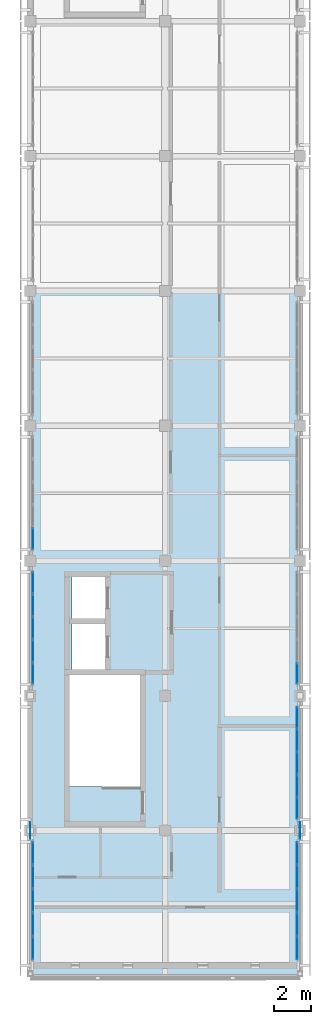
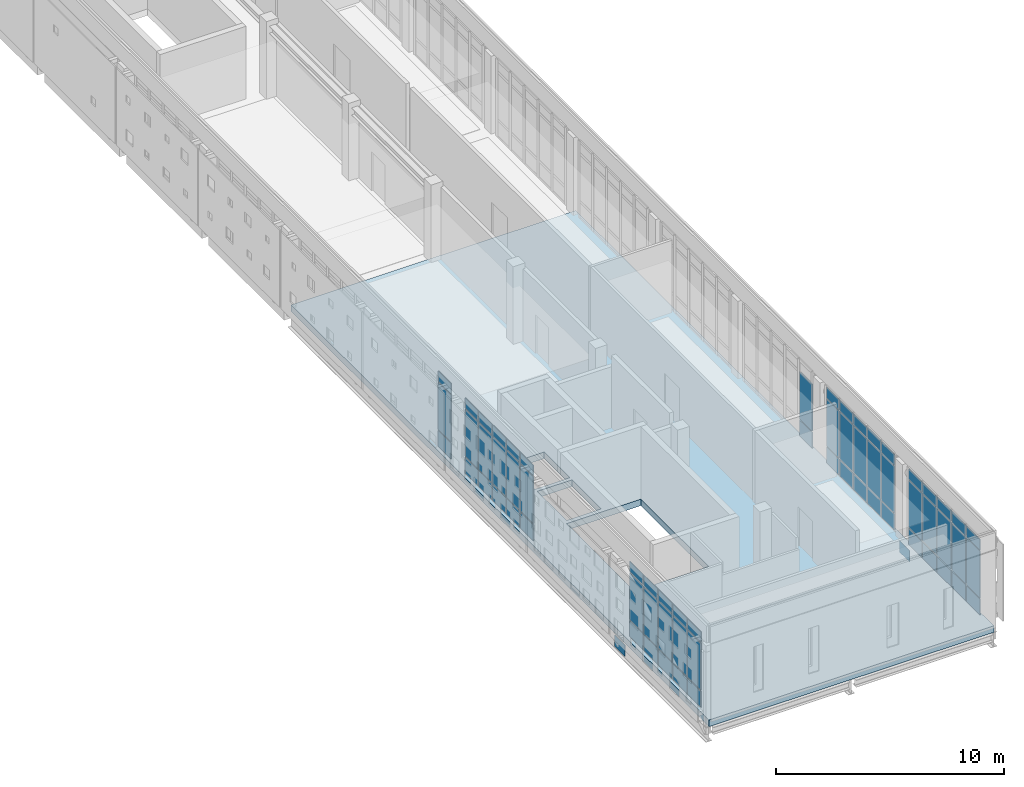
# One storey, part 10 of 19: 67 plates, 1 slab, 6 elements without a shape of their own.
"""IFC4 building model written with IfcOpenShell, lengths in metres."""

from ifc_helpers import new_model, si_unit, direction, frame, origin, origin_2d, place, context, subcontext, project, spatial, polyline, rectangle, outline, extrude, material, layer, layer_set, type_object, element, aggregate, save


model = new_model("IFC4")

# Units and contexts
model_context = context("Model", 3, precision=1e-05, world=origin(), true_north=direction((0.0, 1.0)))
body_context = subcontext(model_context, "Body", "Model", "MODEL_VIEW")
ifc_project = project(units=[si_unit("LENGTHUNIT", "METRE"), si_unit("AREAUNIT", "SQUARE_METRE"), si_unit("VOLUMEUNIT", "CUBIC_METRE"), si_unit("PLANEANGLEUNIT", "RADIAN"), si_unit("MASSUNIT", "GRAM", prefix="KILO")], contexts=[model_context])

# Site, building, storey
site_placement = place(None, origin())
site = spatial("IfcSite", under=ifc_project, at=site_placement, CompositionType="ELEMENT")
building_placement = place(site_placement, origin())
building = spatial("IfcBuilding", under=site, at=building_placement, Name="Valkovuoma Quantum and Materials Research Institute", CompositionType="ELEMENT")
storey_placement = place(building_placement, frame((0.0, 0.0, 38.080078125)))
storey = spatial("IfcBuildingStorey", under=building, at=storey_placement, Name="L09", CompositionType="ELEMENT", Elevation=38.080078125)

# Curtain wall, plates
ifc_material_1 = material(Name="Thermally broken aluminium and triple low-E glazing", Category="aluminium")
ifc_layer_1 = layer(ifc_material_1, 0.219970703125)
ifc_layer_set_1 = layer_set([ifc_layer_1], Name="Thermally broken aluminium and triple low-E glazing")
curtain_wall_type = type_object("IfcCurtainWallType", Name="CW-CW-01", PredefinedType="NOTDEFINED", material=ifc_layer_set_1)
curtain_wall_1_placement = place(storey_placement, origin())
curtain_wall_1 = element("IfcCurtainWall", 1, at=curtain_wall_1_placement, inside=storey, type_object=curtain_wall_type, Name="L09 curtain wall 127", PredefinedType="NOTDEFINED")
ifc_material_2 = material(Name="Triple low-E argon insulating glass", Category="glass")
ifc_layer_2 = layer(ifc_material_2, 0.035888671875)
ifc_layer_set_2 = layer_set([ifc_layer_2], Name="Triple low-E argon insulating glass")
plate_type_1 = type_object("IfcPlateType", Name="CWPanel-CWP-01", PredefinedType="CURTAIN_PANEL", material=ifc_layer_set_2)
plate_1_placement = place(storey_placement, frame((0.14990234375, 22.521728515625, 0.06494140625), z_axis=(0.0, 0.0, 1.0), x_axis=(0.0, 1.0, 0.0)))
plate_1 = element("IfcPlate", 2, at=plate_1_placement, type_object=plate_type_1, Name="CW-01 panel 1.1", PredefinedType="CURTAIN_PANEL", context=body_context, shape_type="SweptSolid", body=[
    extrude(rectangle(XDim=1.177490234375, YDim=0.035888671875, at=origin_2d()), origin(), (0.0, 0.0, 1.0), 0.8525390625),
])
plate_2_placement = place(storey_placement, frame((0.14990234375, 22.521728515625, 0.982421875), z_axis=(0.0, 0.0, 1.0), x_axis=(0.0, 1.0, 0.0)))
plate_2 = element("IfcPlate", 3, at=plate_2_placement, type_object=plate_type_1, Name="CW-01 panel 1.2", PredefinedType="CURTAIN_PANEL", context=body_context, shape_type="SweptSolid", body=[
    extrude(rectangle(XDim=1.177490234375, YDim=0.035888671875, at=origin_2d()), origin(), (0.0, 0.0, 1.0), 2.4951171875),
])
plate_3_placement = place(storey_placement, frame((0.14990234375, 22.521728515625, 3.54248046875), z_axis=(0.0, 0.0, 1.0), x_axis=(0.0, 1.0, 0.0)))
plate_3 = element("IfcPlate", 4, at=plate_3_placement, type_object=plate_type_1, Name="CW-01 panel 1.3", PredefinedType="CURTAIN_PANEL", context=body_context, shape_type="SweptSolid", body=[
    extrude(rectangle(XDim=1.177490234375, YDim=0.035888671875, at=origin_2d()), origin(), (0.0, 0.0, 1.0), 0.552490234375),
])
plate_4_placement = place(storey_placement, frame((0.14990234375, 23.780517578125, 0.06494140625), z_axis=(0.0, 0.0, 1.0), x_axis=(0.0, 1.0, 0.0)))
plate_4 = element("IfcPlate", 5, at=plate_4_placement, type_object=plate_type_1, Name="CW-01 panel 2.1", PredefinedType="CURTAIN_PANEL", context=body_context, shape_type="SweptSolid", body=[
    extrude(rectangle(XDim=1.2099609375, YDim=0.035888671875, at=origin_2d()), origin(), (0.0, 0.0, 1.0), 0.8525390625),
])
plate_5_placement = place(storey_placement, frame((0.14990234375, 23.780517578125, 0.982421875), z_axis=(0.0, 0.0, 1.0), x_axis=(0.0, 1.0, 0.0)))
plate_5 = element("IfcPlate", 6, at=plate_5_placement, type_object=plate_type_1, Name="CW-01 panel 2.2", PredefinedType="CURTAIN_PANEL", context=body_context, shape_type="SweptSolid", body=[
    extrude(rectangle(XDim=1.2099609375, YDim=0.035888671875, at=origin_2d()), origin(), (0.0, 0.0, 1.0), 2.4951171875),
])
plate_6_placement = place(storey_placement, frame((0.14990234375, 23.780517578125, 3.54248046875), z_axis=(0.0, 0.0, 1.0), x_axis=(0.0, 1.0, 0.0)))
plate_6 = element("IfcPlate", 7, at=plate_6_placement, type_object=plate_type_1, Name="CW-01 panel 2.3", PredefinedType="CURTAIN_PANEL", context=body_context, shape_type="SweptSolid", body=[
    extrude(rectangle(XDim=1.2099609375, YDim=0.035888671875, at=origin_2d()), origin(), (0.0, 0.0, 1.0), 0.552490234375),
])
plate_7_placement = place(storey_placement, frame((0.14990234375, 25.055419921875, 0.06494140625), z_axis=(0.0, 0.0, 1.0), x_axis=(0.0, 1.0, 0.0)))
plate_7 = element("IfcPlate", 8, at=plate_7_placement, type_object=plate_type_1, Name="CW-01 panel 3.1", PredefinedType="CURTAIN_PANEL", context=body_context, shape_type="SweptSolid", body=[
    extrude(rectangle(XDim=1.2099609375, YDim=0.035888671875, at=origin_2d()), origin(), (0.0, 0.0, 1.0), 0.8525390625),
])
plate_8_placement = place(storey_placement, frame((0.14990234375, 25.055419921875, 0.982421875), z_axis=(0.0, 0.0, 1.0), x_axis=(0.0, 1.0, 0.0)))
plate_8 = element("IfcPlate", 9, at=plate_8_placement, type_object=plate_type_1, Name="CW-01 panel 3.2", PredefinedType="CURTAIN_PANEL", context=body_context, shape_type="SweptSolid", body=[
    extrude(rectangle(XDim=1.2099609375, YDim=0.035888671875, at=origin_2d()), origin(), (0.0, 0.0, 1.0), 2.4951171875),
])
plate_9_placement = place(storey_placement, frame((0.14990234375, 25.055419921875, 3.54248046875), z_axis=(0.0, 0.0, 1.0), x_axis=(0.0, 1.0, 0.0)))
plate_9 = element("IfcPlate", 10, at=plate_9_placement, type_object=plate_type_1, Name="CW-01 panel 3.3", PredefinedType="CURTAIN_PANEL", context=body_context, shape_type="SweptSolid", body=[
    extrude(rectangle(XDim=1.2099609375, YDim=0.035888671875, at=origin_2d()), origin(), (0.0, 0.0, 1.0), 0.552490234375),
])
plate_10_placement = place(storey_placement, frame((0.14990234375, 26.330322265625, 0.06494140625), z_axis=(0.0, 0.0, 1.0), x_axis=(0.0, 1.0, 0.0)))
plate_10 = element("IfcPlate", 11, at=plate_10_placement, type_object=plate_type_1, Name="CW-01 panel 4.1", PredefinedType="CURTAIN_PANEL", context=body_context, shape_type="SweptSolid", body=[
    extrude(rectangle(XDim=1.2099609375, YDim=0.035888671875, at=origin_2d()), origin(), (0.0, 0.0, 1.0), 0.8525390625),
])
plate_11_placement = place(storey_placement, frame((0.14990234375, 26.330322265625, 0.982421875), z_axis=(0.0, 0.0, 1.0), x_axis=(0.0, 1.0, 0.0)))
plate_11 = element("IfcPlate", 12, at=plate_11_placement, type_object=plate_type_1, Name="CW-01 panel 4.2", PredefinedType="CURTAIN_PANEL", context=body_context, shape_type="SweptSolid", body=[
    extrude(rectangle(XDim=1.2099609375, YDim=0.035888671875, at=origin_2d()), origin(), (0.0, 0.0, 1.0), 2.4951171875),
])
plate_12_placement = place(storey_placement, frame((0.14990234375, 26.330322265625, 3.54248046875), z_axis=(0.0, 0.0, 1.0), x_axis=(0.0, 1.0, 0.0)))
plate_12 = element("IfcPlate", 13, at=plate_12_placement, type_object=plate_type_1, Name="CW-01 panel 4.3", PredefinedType="CURTAIN_PANEL", context=body_context, shape_type="SweptSolid", body=[
    extrude(rectangle(XDim=1.2099609375, YDim=0.035888671875, at=origin_2d()), origin(), (0.0, 0.0, 1.0), 0.552490234375),
])
plate_13_placement = place(storey_placement, frame((0.14990234375, 27.589111328125, 0.06494140625), z_axis=(0.0, 0.0, 1.0), x_axis=(0.0, 1.0, 0.0)))
plate_13 = element("IfcPlate", 14, at=plate_13_placement, type_object=plate_type_1, Name="CW-01 panel 5.1", PredefinedType="CURTAIN_PANEL", context=body_context, shape_type="SweptSolid", body=[
    extrude(rectangle(XDim=1.177490234375, YDim=0.035888671875, at=origin_2d()), origin(), (0.0, 0.0, 1.0), 0.8525390625),
])
plate_14_placement = place(storey_placement, frame((0.14990234375, 27.589111328125, 0.982421875), z_axis=(0.0, 0.0, 1.0), x_axis=(0.0, 1.0, 0.0)))
plate_14 = element("IfcPlate", 15, at=plate_14_placement, type_object=plate_type_1, Name="CW-01 panel 5.2", PredefinedType="CURTAIN_PANEL", context=body_context, shape_type="SweptSolid", body=[
    extrude(rectangle(XDim=1.177490234375, YDim=0.035888671875, at=origin_2d()), origin(), (0.0, 0.0, 1.0), 2.4951171875),
])
plate_15_placement = place(storey_placement, frame((0.14990234375, 27.589111328125, 3.54248046875), z_axis=(0.0, 0.0, 1.0), x_axis=(0.0, 1.0, 0.0)))
plate_15 = element("IfcPlate", 16, at=plate_15_placement, type_object=plate_type_1, Name="CW-01 panel 5.3", PredefinedType="CURTAIN_PANEL", context=body_context, shape_type="SweptSolid", body=[
    extrude(rectangle(XDim=1.177490234375, YDim=0.035888671875, at=origin_2d()), origin(), (0.0, 0.0, 1.0), 0.552490234375),
])
aggregate(curtain_wall_1, [plate_1, plate_2, plate_3, plate_4, plate_5, plate_6, plate_7, plate_8, plate_9, plate_10, plate_11, plate_12, plate_13, plate_14, plate_15])

curtain_wall_2_placement = place(storey_placement, origin())
curtain_wall_2 = element("IfcCurtainWall", 17, at=curtain_wall_2_placement, inside=storey, type_object=curtain_wall_type, Name="L09 curtain wall 130", PredefinedType="NOTDEFINED")
plate_16_placement = place(storey_placement, frame((0.14990234375, 37.181884765625, 0.06494140625), z_axis=(0.0, 0.0, 1.0), x_axis=(0.0, 1.0, 0.0)))
plate_16 = element("IfcPlate", 18, at=plate_16_placement, type_object=plate_type_1, Name="CW-01 panel 1.1", PredefinedType="CURTAIN_PANEL", context=body_context, shape_type="SweptSolid", body=[
    extrude(rectangle(XDim=1.11962890625, YDim=0.035888671875, at=origin_2d()), origin(), (0.0, 0.0, 1.0), 0.8525390625),
])
plate_17_placement = place(storey_placement, frame((0.14990234375, 37.181884765625, 0.982421875), z_axis=(0.0, 0.0, 1.0), x_axis=(0.0, 1.0, 0.0)))
plate_17 = element("IfcPlate", 19, at=plate_17_placement, type_object=plate_type_1, Name="CW-01 panel 1.2", PredefinedType="CURTAIN_PANEL", context=body_context, shape_type="SweptSolid", body=[
    extrude(rectangle(XDim=1.11962890625, YDim=0.035888671875, at=origin_2d()), origin(), (0.0, 0.0, 1.0), 2.4951171875),
])
plate_18_placement = place(storey_placement, frame((0.14990234375, 37.181884765625, 3.54248046875), z_axis=(0.0, 0.0, 1.0), x_axis=(0.0, 1.0, 0.0)))
plate_18 = element("IfcPlate", 20, at=plate_18_placement, type_object=plate_type_1, Name="CW-01 panel 1.3", PredefinedType="CURTAIN_PANEL", context=body_context, shape_type="SweptSolid", body=[
    extrude(rectangle(XDim=1.11962890625, YDim=0.035888671875, at=origin_2d()), origin(), (0.0, 0.0, 1.0), 0.552490234375),
])
plate_19_placement = place(storey_placement, frame((0.14990234375, 38.3828125, 0.06494140625), z_axis=(0.0, 0.0, 1.0), x_axis=(0.0, 1.0, 0.0)))
plate_19 = element("IfcPlate", 21, at=plate_19_placement, type_object=plate_type_1, Name="CW-01 panel 2.1", PredefinedType="CURTAIN_PANEL", context=body_context, shape_type="SweptSolid", body=[
    extrude(rectangle(XDim=1.152099609375, YDim=0.035888671875, at=origin_2d()), origin(), (0.0, 0.0, 1.0), 0.8525390625),
])
plate_20_placement = place(storey_placement, frame((0.14990234375, 38.3828125, 0.982421875), z_axis=(0.0, 0.0, 1.0), x_axis=(0.0, 1.0, 0.0)))
plate_20 = element("IfcPlate", 22, at=plate_20_placement, type_object=plate_type_1, Name="CW-01 panel 2.2", PredefinedType="CURTAIN_PANEL", context=body_context, shape_type="SweptSolid", body=[
    extrude(rectangle(XDim=1.152099609375, YDim=0.035888671875, at=origin_2d()), origin(), (0.0, 0.0, 1.0), 2.4951171875),
])
plate_21_placement = place(storey_placement, frame((0.14990234375, 38.3828125, 3.54248046875), z_axis=(0.0, 0.0, 1.0), x_axis=(0.0, 1.0, 0.0)))
plate_21 = element("IfcPlate", 23, at=plate_21_placement, type_object=plate_type_1, Name="CW-01 panel 2.3", PredefinedType="CURTAIN_PANEL", context=body_context, shape_type="SweptSolid", body=[
    extrude(rectangle(XDim=1.152099609375, YDim=0.035888671875, at=origin_2d()), origin(), (0.0, 0.0, 1.0), 0.552490234375),
])
plate_22_placement = place(storey_placement, frame((0.14990234375, 39.60009765625, 0.06494140625), z_axis=(0.0, 0.0, 1.0), x_axis=(0.0, 1.0, 0.0)))
plate_22 = element("IfcPlate", 24, at=plate_22_placement, type_object=plate_type_1, Name="CW-01 panel 3.1", PredefinedType="CURTAIN_PANEL", context=body_context, shape_type="SweptSolid", body=[
    extrude(rectangle(XDim=1.152099609375, YDim=0.035888671875, at=origin_2d()), origin(), (0.0, 0.0, 1.0), 0.8525390625),
])
plate_23_placement = place(storey_placement, frame((0.14990234375, 39.60009765625, 0.982421875), z_axis=(0.0, 0.0, 1.0), x_axis=(0.0, 1.0, 0.0)))
plate_23 = element("IfcPlate", 25, at=plate_23_placement, type_object=plate_type_1, Name="CW-01 panel 3.2", PredefinedType="CURTAIN_PANEL", context=body_context, shape_type="SweptSolid", body=[
    extrude(rectangle(XDim=1.152099609375, YDim=0.035888671875, at=origin_2d()), origin(), (0.0, 0.0, 1.0), 2.4951171875),
])
plate_24_placement = place(storey_placement, frame((0.14990234375, 39.60009765625, 3.54248046875), z_axis=(0.0, 0.0, 1.0), x_axis=(0.0, 1.0, 0.0)))
plate_24 = element("IfcPlate", 26, at=plate_24_placement, type_object=plate_type_1, Name="CW-01 panel 3.3", PredefinedType="CURTAIN_PANEL", context=body_context, shape_type="SweptSolid", body=[
    extrude(rectangle(XDim=1.152099609375, YDim=0.035888671875, at=origin_2d()), origin(), (0.0, 0.0, 1.0), 0.552490234375),
])
plate_25_placement = place(storey_placement, frame((0.14990234375, 40.817138671875, 0.06494140625), z_axis=(0.0, 0.0, 1.0), x_axis=(0.0, 1.0, 0.0)))
plate_25 = element("IfcPlate", 27, at=plate_25_placement, type_object=plate_type_1, Name="CW-01 panel 4.1", PredefinedType="CURTAIN_PANEL", context=body_context, shape_type="SweptSolid", body=[
    extrude(rectangle(XDim=1.152099609375, YDim=0.035888671875, at=origin_2d()), origin(), (0.0, 0.0, 1.0), 0.8525390625),
])
plate_26_placement = place(storey_placement, frame((0.14990234375, 40.817138671875, 0.982421875), z_axis=(0.0, 0.0, 1.0), x_axis=(0.0, 1.0, 0.0)))
plate_26 = element("IfcPlate", 28, at=plate_26_placement, type_object=plate_type_1, Name="CW-01 panel 4.2", PredefinedType="CURTAIN_PANEL", context=body_context, shape_type="SweptSolid", body=[
    extrude(rectangle(XDim=1.152099609375, YDim=0.035888671875, at=origin_2d()), origin(), (0.0, 0.0, 1.0), 2.4951171875),
])
plate_27_placement = place(storey_placement, frame((0.14990234375, 40.817138671875, 3.54248046875), z_axis=(0.0, 0.0, 1.0), x_axis=(0.0, 1.0, 0.0)))
plate_27 = element("IfcPlate", 29, at=plate_27_placement, type_object=plate_type_1, Name="CW-01 panel 4.3", PredefinedType="CURTAIN_PANEL", context=body_context, shape_type="SweptSolid", body=[
    extrude(rectangle(XDim=1.152099609375, YDim=0.035888671875, at=origin_2d()), origin(), (0.0, 0.0, 1.0), 0.552490234375),
])
plate_28_placement = place(storey_placement, frame((0.14990234375, 42.01806640625, 0.06494140625), z_axis=(0.0, 0.0, 1.0), x_axis=(0.0, 1.0, 0.0)))
plate_28 = element("IfcPlate", 30, at=plate_28_placement, type_object=plate_type_1, Name="CW-01 panel 5.1", PredefinedType="CURTAIN_PANEL", context=body_context, shape_type="SweptSolid", body=[
    extrude(rectangle(XDim=1.11962890625, YDim=0.035888671875, at=origin_2d()), origin(), (0.0, 0.0, 1.0), 0.8525390625),
])
plate_29_placement = place(storey_placement, frame((0.14990234375, 42.01806640625, 0.982421875), z_axis=(0.0, 0.0, 1.0), x_axis=(0.0, 1.0, 0.0)))
plate_29 = element("IfcPlate", 31, at=plate_29_placement, type_object=plate_type_1, Name="CW-01 panel 5.2", PredefinedType="CURTAIN_PANEL", context=body_context, shape_type="SweptSolid", body=[
    extrude(rectangle(XDim=1.11962890625, YDim=0.035888671875, at=origin_2d()), origin(), (0.0, 0.0, 1.0), 2.4951171875),
])
plate_30_placement = place(storey_placement, frame((0.14990234375, 42.01806640625, 3.54248046875), z_axis=(0.0, 0.0, 1.0), x_axis=(0.0, 1.0, 0.0)))
plate_30 = element("IfcPlate", 32, at=plate_30_placement, type_object=plate_type_1, Name="CW-01 panel 5.3", PredefinedType="CURTAIN_PANEL", context=body_context, shape_type="SweptSolid", body=[
    extrude(rectangle(XDim=1.11962890625, YDim=0.035888671875, at=origin_2d()), origin(), (0.0, 0.0, 1.0), 0.552490234375),
])
aggregate(curtain_wall_2, [plate_16, plate_17, plate_18, plate_19, plate_20, plate_21, plate_22, plate_23, plate_24, plate_25, plate_26, plate_27, plate_28, plate_29, plate_30])

curtain_wall_3_placement = place(storey_placement, origin())
curtain_wall_3 = element("IfcCurtainWall", 33, at=curtain_wall_3_placement, inside=storey, type_object=curtain_wall_type, Name="L09 curtain wall 132", PredefinedType="NOTDEFINED")
plate_31_placement = place(storey_placement, frame((0.14990234375, 44.3818359375, 0.06494140625), z_axis=(0.0, 0.0, 1.0), x_axis=(0.0, 1.0, 0.0)))
plate_31 = element("IfcPlate", 34, at=plate_31_placement, type_object=plate_type_1, Name="CW-01 panel 1.1", PredefinedType="CURTAIN_PANEL", context=body_context, shape_type="SweptSolid", body=[
    extrude(rectangle(XDim=1.11962890625, YDim=0.035888671875, at=origin_2d()), origin(), (0.0, 0.0, 1.0), 0.8525390625),
])
plate_32_placement = place(storey_placement, frame((0.14990234375, 44.3818359375, 0.982421875), z_axis=(0.0, 0.0, 1.0), x_axis=(0.0, 1.0, 0.0)))
plate_32 = element("IfcPlate", 35, at=plate_32_placement, type_object=plate_type_1, Name="CW-01 panel 1.2", PredefinedType="CURTAIN_PANEL", context=body_context, shape_type="SweptSolid", body=[
    extrude(rectangle(XDim=1.11962890625, YDim=0.035888671875, at=origin_2d()), origin(), (0.0, 0.0, 1.0), 2.4951171875),
])
plate_33_placement = place(storey_placement, frame((0.14990234375, 44.3818359375, 3.54248046875), z_axis=(0.0, 0.0, 1.0), x_axis=(0.0, 1.0, 0.0)))
plate_33 = element("IfcPlate", 36, at=plate_33_placement, type_object=plate_type_1, Name="CW-01 panel 1.3", PredefinedType="CURTAIN_PANEL", context=body_context, shape_type="SweptSolid", body=[
    extrude(rectangle(XDim=1.11962890625, YDim=0.035888671875, at=origin_2d()), origin(), (0.0, 0.0, 1.0), 0.552490234375),
])
aggregate(curtain_wall_3, [plate_31, plate_32, plate_33])

curtain_wall_4_placement = place(storey_placement, origin())
curtain_wall_4 = element("IfcCurtainWall", 37, at=curtain_wall_4_placement, inside=storey, type_object=curtain_wall_type, Name="L09 curtain wall 128", PredefinedType="NOTDEFINED")
ifc_material_3 = material(Name="Triple low-E argon insulating glass", Category="glass")
ifc_layer_3 = layer(ifc_material_3, 0.0419921875)
ifc_layer_set_3 = layer_set([ifc_layer_3], Name="Triple low-E argon insulating glass")
plate_type_2 = type_object("IfcPlateType", Name="CWPanel-CWP-02", PredefinedType="CURTAIN_PANEL", material=ifc_layer_set_3)
plate_34_placement = place(storey_placement, frame((14.25, 22.521728515625, 0.06494140625), z_axis=(0.0, 0.0, 1.0), x_axis=(0.0, 1.0, 0.0)))
plate_34 = element("IfcPlate", 38, at=plate_34_placement, type_object=plate_type_2, Name="CW-01 panel 1.1", PredefinedType="CURTAIN_PANEL", context=body_context, shape_type="SweptSolid", body=[
    extrude(rectangle(XDim=1.177490234375, YDim=0.0419921875, at=origin_2d()), origin(), (0.0, 0.0, 1.0), 0.8525390625),
])
plate_35_placement = place(storey_placement, frame((14.25, 22.521728515625, 0.982421875), z_axis=(0.0, 0.0, 1.0), x_axis=(0.0, 1.0, 0.0)))
plate_35 = element("IfcPlate", 39, at=plate_35_placement, type_object=plate_type_2, Name="CW-01 panel 1.2", PredefinedType="CURTAIN_PANEL", context=body_context, shape_type="SweptSolid", body=[
    extrude(rectangle(XDim=1.177490234375, YDim=0.0419921875, at=origin_2d()), origin(), (0.0, 0.0, 1.0), 2.4951171875),
])
plate_36_placement = place(storey_placement, frame((14.25, 22.521728515625, 3.54248046875), z_axis=(0.0, 0.0, 1.0), x_axis=(0.0, 1.0, 0.0)))
plate_36 = element("IfcPlate", 40, at=plate_36_placement, type_object=plate_type_2, Name="CW-01 panel 1.3", PredefinedType="CURTAIN_PANEL", context=body_context, shape_type="SweptSolid", body=[
    extrude(rectangle(XDim=1.177490234375, YDim=0.0419921875, at=origin_2d()), origin(), (0.0, 0.0, 1.0), 0.552490234375),
])
plate_37_placement = place(storey_placement, frame((14.25, 23.780517578125, 0.06494140625), z_axis=(0.0, 0.0, 1.0), x_axis=(0.0, 1.0, 0.0)))
plate_37 = element("IfcPlate", 41, at=plate_37_placement, type_object=plate_type_2, Name="CW-01 panel 2.1", PredefinedType="CURTAIN_PANEL", context=body_context, shape_type="SweptSolid", body=[
    extrude(rectangle(XDim=1.2099609375, YDim=0.0419921875, at=origin_2d()), origin(), (0.0, 0.0, 1.0), 0.8525390625),
])
plate_38_placement = place(storey_placement, frame((14.25, 23.780517578125, 0.982421875), z_axis=(0.0, 0.0, 1.0), x_axis=(0.0, 1.0, 0.0)))
plate_38 = element("IfcPlate", 42, at=plate_38_placement, type_object=plate_type_2, Name="CW-01 panel 2.2", PredefinedType="CURTAIN_PANEL", context=body_context, shape_type="SweptSolid", body=[
    extrude(rectangle(XDim=1.2099609375, YDim=0.0419921875, at=origin_2d()), origin(), (0.0, 0.0, 1.0), 2.4951171875),
])
plate_39_placement = place(storey_placement, frame((14.25, 23.780517578125, 3.54248046875), z_axis=(0.0, 0.0, 1.0), x_axis=(0.0, 1.0, 0.0)))
plate_39 = element("IfcPlate", 43, at=plate_39_placement, type_object=plate_type_2, Name="CW-01 panel 2.3", PredefinedType="CURTAIN_PANEL", context=body_context, shape_type="SweptSolid", body=[
    extrude(rectangle(XDim=1.2099609375, YDim=0.0419921875, at=origin_2d()), origin(), (0.0, 0.0, 1.0), 0.552490234375),
])
plate_40_placement = place(storey_placement, frame((14.25, 25.055419921875, 0.06494140625), z_axis=(0.0, 0.0, 1.0), x_axis=(0.0, 1.0, 0.0)))
plate_40 = element("IfcPlate", 44, at=plate_40_placement, type_object=plate_type_2, Name="CW-01 panel 3.1", PredefinedType="CURTAIN_PANEL", context=body_context, shape_type="SweptSolid", body=[
    extrude(rectangle(XDim=1.2099609375, YDim=0.0419921875, at=origin_2d()), origin(), (0.0, 0.0, 1.0), 0.8525390625),
])
plate_41_placement = place(storey_placement, frame((14.25, 25.055419921875, 0.982421875), z_axis=(0.0, 0.0, 1.0), x_axis=(0.0, 1.0, 0.0)))
plate_41 = element("IfcPlate", 45, at=plate_41_placement, type_object=plate_type_2, Name="CW-01 panel 3.2", PredefinedType="CURTAIN_PANEL", context=body_context, shape_type="SweptSolid", body=[
    extrude(rectangle(XDim=1.2099609375, YDim=0.0419921875, at=origin_2d()), origin(), (0.0, 0.0, 1.0), 2.4951171875),
])
plate_42_placement = place(storey_placement, frame((14.25, 25.055419921875, 3.54248046875), z_axis=(0.0, 0.0, 1.0), x_axis=(0.0, 1.0, 0.0)))
plate_42 = element("IfcPlate", 46, at=plate_42_placement, type_object=plate_type_2, Name="CW-01 panel 3.3", PredefinedType="CURTAIN_PANEL", context=body_context, shape_type="SweptSolid", body=[
    extrude(rectangle(XDim=1.2099609375, YDim=0.0419921875, at=origin_2d()), origin(), (0.0, 0.0, 1.0), 0.552490234375),
])
plate_43_placement = place(storey_placement, frame((14.25, 26.330322265625, 0.06494140625), z_axis=(0.0, 0.0, 1.0), x_axis=(0.0, 1.0, 0.0)))
plate_43 = element("IfcPlate", 47, at=plate_43_placement, type_object=plate_type_2, Name="CW-01 panel 4.1", PredefinedType="CURTAIN_PANEL", context=body_context, shape_type="SweptSolid", body=[
    extrude(rectangle(XDim=1.2099609375, YDim=0.0419921875, at=origin_2d()), origin(), (0.0, 0.0, 1.0), 0.8525390625),
])
plate_44_placement = place(storey_placement, frame((14.25, 26.330322265625, 0.982421875), z_axis=(0.0, 0.0, 1.0), x_axis=(0.0, 1.0, 0.0)))
plate_44 = element("IfcPlate", 48, at=plate_44_placement, type_object=plate_type_2, Name="CW-01 panel 4.2", PredefinedType="CURTAIN_PANEL", context=body_context, shape_type="SweptSolid", body=[
    extrude(rectangle(XDim=1.2099609375, YDim=0.0419921875, at=origin_2d()), origin(), (0.0, 0.0, 1.0), 2.4951171875),
])
plate_45_placement = place(storey_placement, frame((14.25, 26.330322265625, 3.54248046875), z_axis=(0.0, 0.0, 1.0), x_axis=(0.0, 1.0, 0.0)))
plate_45 = element("IfcPlate", 49, at=plate_45_placement, type_object=plate_type_2, Name="CW-01 panel 4.3", PredefinedType="CURTAIN_PANEL", context=body_context, shape_type="SweptSolid", body=[
    extrude(rectangle(XDim=1.2099609375, YDim=0.0419921875, at=origin_2d()), origin(), (0.0, 0.0, 1.0), 0.552490234375),
])
plate_46_placement = place(storey_placement, frame((14.25, 27.589111328125, 0.06494140625), z_axis=(0.0, 0.0, 1.0), x_axis=(0.0, 1.0, 0.0)))
plate_46 = element("IfcPlate", 50, at=plate_46_placement, type_object=plate_type_2, Name="CW-01 panel 5.1", PredefinedType="CURTAIN_PANEL", context=body_context, shape_type="SweptSolid", body=[
    extrude(rectangle(XDim=1.177490234375, YDim=0.0419921875, at=origin_2d()), origin(), (0.0, 0.0, 1.0), 0.8525390625),
])
plate_47_placement = place(storey_placement, frame((14.25, 27.589111328125, 0.982421875), z_axis=(0.0, 0.0, 1.0), x_axis=(0.0, 1.0, 0.0)))
plate_47 = element("IfcPlate", 51, at=plate_47_placement, type_object=plate_type_2, Name="CW-01 panel 5.2", PredefinedType="CURTAIN_PANEL", context=body_context, shape_type="SweptSolid", body=[
    extrude(rectangle(XDim=1.177490234375, YDim=0.0419921875, at=origin_2d()), origin(), (0.0, 0.0, 1.0), 2.4951171875),
])
plate_48_placement = place(storey_placement, frame((14.25, 27.589111328125, 3.54248046875), z_axis=(0.0, 0.0, 1.0), x_axis=(0.0, 1.0, 0.0)))
plate_48 = element("IfcPlate", 52, at=plate_48_placement, type_object=plate_type_2, Name="CW-01 panel 5.3", PredefinedType="CURTAIN_PANEL", context=body_context, shape_type="SweptSolid", body=[
    extrude(rectangle(XDim=1.177490234375, YDim=0.0419921875, at=origin_2d()), origin(), (0.0, 0.0, 1.0), 0.552490234375),
])
aggregate(curtain_wall_4, [plate_34, plate_35, plate_36, plate_37, plate_38, plate_39, plate_40, plate_41, plate_42, plate_43, plate_44, plate_45, plate_46, plate_47, plate_48])

curtain_wall_5_placement = place(storey_placement, origin())
curtain_wall_5 = element("IfcCurtainWall", 53, at=curtain_wall_5_placement, inside=storey, type_object=curtain_wall_type, Name="L09 curtain wall 129", PredefinedType="NOTDEFINED")
plate_49_placement = place(storey_placement, frame((14.25, 29.98193359375, 0.06494140625), z_axis=(0.0, 0.0, 1.0), x_axis=(0.0, 1.0, 0.0)))
plate_49 = element("IfcPlate", 54, at=plate_49_placement, type_object=plate_type_2, Name="CW-01 panel 1.1", PredefinedType="CURTAIN_PANEL", context=body_context, shape_type="SweptSolid", body=[
    extrude(rectangle(XDim=1.11962890625, YDim=0.0419921875, at=origin_2d()), origin(), (0.0, 0.0, 1.0), 0.8525390625),
])
plate_50_placement = place(storey_placement, frame((14.25, 29.98193359375, 0.982421875), z_axis=(0.0, 0.0, 1.0), x_axis=(0.0, 1.0, 0.0)))
plate_50 = element("IfcPlate", 55, at=plate_50_placement, type_object=plate_type_2, Name="CW-01 panel 1.2", PredefinedType="CURTAIN_PANEL", context=body_context, shape_type="SweptSolid", body=[
    extrude(rectangle(XDim=1.11962890625, YDim=0.0419921875, at=origin_2d()), origin(), (0.0, 0.0, 1.0), 2.4951171875),
])
plate_51_placement = place(storey_placement, frame((14.25, 29.98193359375, 3.54248046875), z_axis=(0.0, 0.0, 1.0), x_axis=(0.0, 1.0, 0.0)))
plate_51 = element("IfcPlate", 56, at=plate_51_placement, type_object=plate_type_2, Name="CW-01 panel 1.3", PredefinedType="CURTAIN_PANEL", context=body_context, shape_type="SweptSolid", body=[
    extrude(rectangle(XDim=1.11962890625, YDim=0.0419921875, at=origin_2d()), origin(), (0.0, 0.0, 1.0), 0.552490234375),
])
plate_52_placement = place(storey_placement, frame((14.25, 31.182861328125, 0.06494140625), z_axis=(0.0, 0.0, 1.0), x_axis=(0.0, 1.0, 0.0)))
plate_52 = element("IfcPlate", 57, at=plate_52_placement, type_object=plate_type_2, Name="CW-01 panel 2.1", PredefinedType="CURTAIN_PANEL", context=body_context, shape_type="SweptSolid", body=[
    extrude(rectangle(XDim=1.152099609375, YDim=0.0419921875, at=origin_2d()), origin(), (0.0, 0.0, 1.0), 0.8525390625),
])
plate_53_placement = place(storey_placement, frame((14.25, 31.182861328125, 0.982421875), z_axis=(0.0, 0.0, 1.0), x_axis=(0.0, 1.0, 0.0)))
plate_53 = element("IfcPlate", 58, at=plate_53_placement, type_object=plate_type_2, Name="CW-01 panel 2.2", PredefinedType="CURTAIN_PANEL", context=body_context, shape_type="SweptSolid", body=[
    extrude(rectangle(XDim=1.152099609375, YDim=0.0419921875, at=origin_2d()), origin(), (0.0, 0.0, 1.0), 2.4951171875),
])
plate_54_placement = place(storey_placement, frame((14.25, 31.182861328125, 3.54248046875), z_axis=(0.0, 0.0, 1.0), x_axis=(0.0, 1.0, 0.0)))
plate_54 = element("IfcPlate", 59, at=plate_54_placement, type_object=plate_type_2, Name="CW-01 panel 2.3", PredefinedType="CURTAIN_PANEL", context=body_context, shape_type="SweptSolid", body=[
    extrude(rectangle(XDim=1.152099609375, YDim=0.0419921875, at=origin_2d()), origin(), (0.0, 0.0, 1.0), 0.552490234375),
])
plate_55_placement = place(storey_placement, frame((14.25, 32.39990234375, 0.06494140625), z_axis=(0.0, 0.0, 1.0), x_axis=(0.0, 1.0, 0.0)))
plate_55 = element("IfcPlate", 60, at=plate_55_placement, type_object=plate_type_2, Name="CW-01 panel 3.1", PredefinedType="CURTAIN_PANEL", context=body_context, shape_type="SweptSolid", body=[
    extrude(rectangle(XDim=1.152099609375, YDim=0.0419921875, at=origin_2d()), origin(), (0.0, 0.0, 1.0), 0.8525390625),
])
plate_56_placement = place(storey_placement, frame((14.25, 32.39990234375, 0.982421875), z_axis=(0.0, 0.0, 1.0), x_axis=(0.0, 1.0, 0.0)))
plate_56 = element("IfcPlate", 61, at=plate_56_placement, type_object=plate_type_2, Name="CW-01 panel 3.2", PredefinedType="CURTAIN_PANEL", context=body_context, shape_type="SweptSolid", body=[
    extrude(rectangle(XDim=1.152099609375, YDim=0.0419921875, at=origin_2d()), origin(), (0.0, 0.0, 1.0), 2.4951171875),
])
plate_57_placement = place(storey_placement, frame((14.25, 32.39990234375, 3.54248046875), z_axis=(0.0, 0.0, 1.0), x_axis=(0.0, 1.0, 0.0)))
plate_57 = element("IfcPlate", 62, at=plate_57_placement, type_object=plate_type_2, Name="CW-01 panel 3.3", PredefinedType="CURTAIN_PANEL", context=body_context, shape_type="SweptSolid", body=[
    extrude(rectangle(XDim=1.152099609375, YDim=0.0419921875, at=origin_2d()), origin(), (0.0, 0.0, 1.0), 0.552490234375),
])
plate_58_placement = place(storey_placement, frame((14.25, 33.6171875, 0.06494140625), z_axis=(0.0, 0.0, 1.0), x_axis=(0.0, 1.0, 0.0)))
plate_58 = element("IfcPlate", 63, at=plate_58_placement, type_object=plate_type_2, Name="CW-01 panel 4.1", PredefinedType="CURTAIN_PANEL", context=body_context, shape_type="SweptSolid", body=[
    extrude(rectangle(XDim=1.152099609375, YDim=0.0419921875, at=origin_2d()), origin(), (0.0, 0.0, 1.0), 0.8525390625),
])
plate_59_placement = place(storey_placement, frame((14.25, 33.6171875, 0.982421875), z_axis=(0.0, 0.0, 1.0), x_axis=(0.0, 1.0, 0.0)))
plate_59 = element("IfcPlate", 64, at=plate_59_placement, type_object=plate_type_2, Name="CW-01 panel 4.2", PredefinedType="CURTAIN_PANEL", context=body_context, shape_type="SweptSolid", body=[
    extrude(rectangle(XDim=1.152099609375, YDim=0.0419921875, at=origin_2d()), origin(), (0.0, 0.0, 1.0), 2.4951171875),
])
plate_60_placement = place(storey_placement, frame((14.25, 33.6171875, 3.54248046875), z_axis=(0.0, 0.0, 1.0), x_axis=(0.0, 1.0, 0.0)))
plate_60 = element("IfcPlate", 65, at=plate_60_placement, type_object=plate_type_2, Name="CW-01 panel 4.3", PredefinedType="CURTAIN_PANEL", context=body_context, shape_type="SweptSolid", body=[
    extrude(rectangle(XDim=1.152099609375, YDim=0.0419921875, at=origin_2d()), origin(), (0.0, 0.0, 1.0), 0.552490234375),
])
plate_61_placement = place(storey_placement, frame((14.25, 34.818115234375, 0.06494140625), z_axis=(0.0, 0.0, 1.0), x_axis=(0.0, 1.0, 0.0)))
plate_61 = element("IfcPlate", 66, at=plate_61_placement, type_object=plate_type_2, Name="CW-01 panel 5.1", PredefinedType="CURTAIN_PANEL", context=body_context, shape_type="SweptSolid", body=[
    extrude(rectangle(XDim=1.11962890625, YDim=0.0419921875, at=origin_2d()), origin(), (0.0, 0.0, 1.0), 0.8525390625),
])
plate_62_placement = place(storey_placement, frame((14.25, 34.818115234375, 0.982421875), z_axis=(0.0, 0.0, 1.0), x_axis=(0.0, 1.0, 0.0)))
plate_62 = element("IfcPlate", 67, at=plate_62_placement, type_object=plate_type_2, Name="CW-01 panel 5.2", PredefinedType="CURTAIN_PANEL", context=body_context, shape_type="SweptSolid", body=[
    extrude(rectangle(XDim=1.11962890625, YDim=0.0419921875, at=origin_2d()), origin(), (0.0, 0.0, 1.0), 2.4951171875),
])
plate_63_placement = place(storey_placement, frame((14.25, 34.818115234375, 3.54248046875), z_axis=(0.0, 0.0, 1.0), x_axis=(0.0, 1.0, 0.0)))
plate_63 = element("IfcPlate", 68, at=plate_63_placement, type_object=plate_type_2, Name="CW-01 panel 5.3", PredefinedType="CURTAIN_PANEL", context=body_context, shape_type="SweptSolid", body=[
    extrude(rectangle(XDim=1.11962890625, YDim=0.0419921875, at=origin_2d()), origin(), (0.0, 0.0, 1.0), 0.552490234375),
])
aggregate(curtain_wall_5, [plate_49, plate_50, plate_51, plate_52, plate_53, plate_54, plate_55, plate_56, plate_57, plate_58, plate_59, plate_60, plate_61, plate_62, plate_63])

curtain_wall_6_placement = place(storey_placement, origin())
curtain_wall_6 = element("IfcCurtainWall", 69, at=curtain_wall_6_placement, inside=storey, type_object=curtain_wall_type, Name="L09 curtain wall 131", PredefinedType="NOTDEFINED")
plate_64_placement = place(storey_placement, frame((14.25, 37.181884765625, 0.06494140625), z_axis=(0.0, 0.0, 1.0), x_axis=(0.0, 1.0, 0.0)))
plate_64 = element("IfcPlate", 70, at=plate_64_placement, type_object=plate_type_2, Name="CW-01 panel 1.1", PredefinedType="CURTAIN_PANEL", context=body_context, shape_type="SweptSolid", body=[
    extrude(rectangle(XDim=1.11962890625, YDim=0.0419921875, at=origin_2d()), origin(), (0.0, 0.0, 1.0), 0.8525390625),
])
plate_65_placement = place(storey_placement, frame((14.25, 37.181884765625, 0.982421875), z_axis=(0.0, 0.0, 1.0), x_axis=(0.0, 1.0, 0.0)))
plate_65 = element("IfcPlate", 71, at=plate_65_placement, type_object=plate_type_2, Name="CW-01 panel 1.2", PredefinedType="CURTAIN_PANEL", context=body_context, shape_type="SweptSolid", body=[
    extrude(rectangle(XDim=1.11962890625, YDim=0.0419921875, at=origin_2d()), origin(), (0.0, 0.0, 1.0), 2.4951171875),
])
aggregate(curtain_wall_6, [plate_64, plate_65])

# Plates
ifc_material_4 = material(Name="Steel S355J2", Category="steel")
plate_type_3 = type_object("IfcPlateType", Name="Plate-PL-GUS3", PredefinedType="USERDEFINED", material=ifc_material_4)
for number, where, z_axis, x_axis, name in (
    (72, (0.0, 28.800048828125, -1.050048828125), (0.0, 0.0, 1.0), (0.0, 1.0, 0.0), "L09 cantilever gusset plate 0"),
    (73, (14.39990234375, 28.800048828125, -1.050048828125), (0.0, 0.0, 1.0), (0.0, 1.0, 0.0), "L09 cantilever gusset plate 1"),
):
    element("IfcPlate", number, at=place(storey_placement, frame(where, z_axis=z_axis, x_axis=x_axis)), inside=storey, type_object=plate_type_3, Name=name, ObjectType="GUSSET_PLATE", PredefinedType="USERDEFINED", context=body_context, shape_type="SweptSolid", body=[
        extrude(rectangle(XDim=0.89990234375, YDim=0.02490234375, at=origin_2d()), origin(), (0.0, 0.0, 1.0), 0.60009765625),
    ])

# Slab
ifc_material_5 = material(Name="Concrete C40/50", Category="concrete")
ifc_layer_4 = layer(ifc_material_5, 0.35009765625)
ifc_layer_set_4 = layer_set([ifc_layer_4], Name="Concrete C40/50")
slab_type = type_object("IfcSlabType", Name="Slab-SL-FL350", PredefinedType="FLOOR", material=ifc_layer_set_4)
slab_placement = place(storey_placement, frame((0.0, 0.0, -0.35009765625)))
element("IfcSlab", 74, at=slab_placement, inside=storey, type_object=slab_type, Name="L09 vol5_drylab structural slab 1", PredefinedType="FLOOR", context=body_context, shape_type="SweptSolid", body=[
    extrude(outline(polyline([(0.0, 21.0), (14.39990234375, 21.0), (14.39990234375, 57.60009765625), (0.0, 57.60009765625), (0.0, 21.0)]), holes=[polyline([(2.10009765625, 31.159912109375), (5.85009765625, 31.159912109375), (5.85009765625, 37.10009765625), (2.10009765625, 37.10009765625), (2.10009765625, 31.159912109375)]), polyline([(2.219970703125, 37.320068359375), (3.97998046875, 37.320068359375), (3.97998046875, 39.8798828125), (2.219970703125, 39.8798828125), (2.219970703125, 37.320068359375)]), polyline([(2.219970703125, 40.070068359375), (3.97998046875, 40.070068359375), (3.97998046875, 42.330078125), (2.219970703125, 42.330078125), (2.219970703125, 40.070068359375)])]), origin(), (0.0, 0.0, 1.0), 0.35009765625),
])

save(model, "model.ifc")
